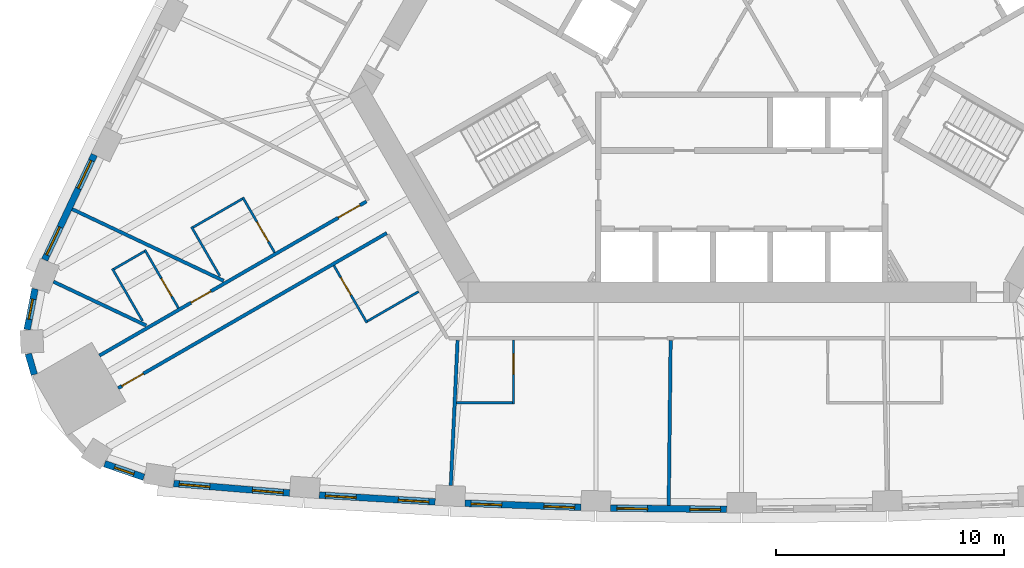
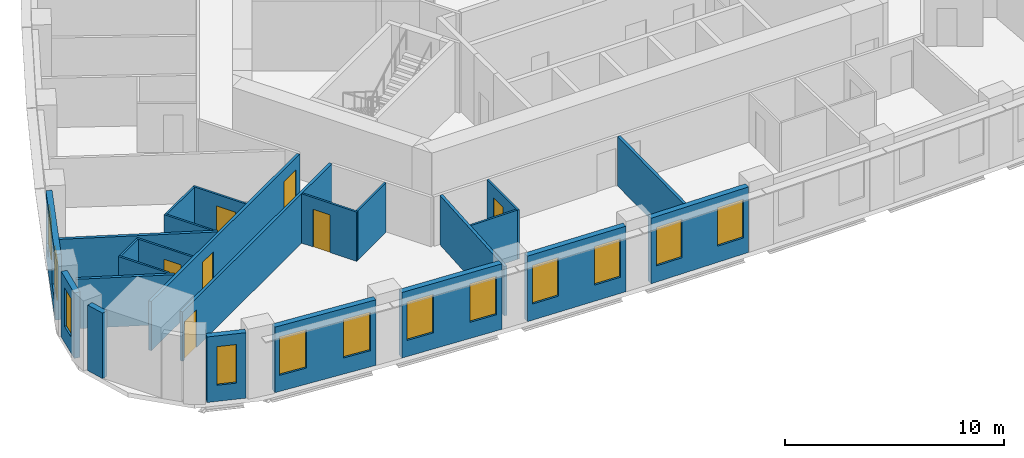
# One storey, part 3 of 12: 24 walls, 12 windows, 7 doors, 19 openings.
"""IFC4 building model written with IfcOpenShell, lengths in metres."""

import ifcopenshell
import ifcopenshell.guid

model = None  # the IFC model being written
_history = None  # IfcOwnerHistory: only IFC2X3 demands one
_inside = {}  # id of a spatial element -> (the spatial element, [elements in it])
_under = {}  # id of a project, library or spatial element -> (it, [spatial elements below it])
_declared = {}  # id of a project -> (the project, [libraries it declares])
_typed = {}  # id of a type object -> (the type object, [elements of that type])
_made_of = {}  # id of a material, layer set ... -> (it, [elements and type objects made of it])


def new_model(schema):
    """Start an empty IFC model of exactly this schema.

    Asked for "IFC4X3", IfcOpenShell would pick the latest addendum, in which some entities
    have other attributes; the version numbers below select the first issue.
    IFC2X3 requires an IfcOwnerHistory on every rooted entity: one is made here for all.
    """
    global model, _history
    if schema == "IFC4X3":
        model = ifcopenshell.file(schema_version=(4, 3, 0, 0))
    else:
        model = ifcopenshell.file(schema=schema)
    _inside.clear()
    _under.clear()
    _declared.clear()
    _typed.clear()
    _made_of.clear()
    _history = None
    if model.schema == "IFC2X3":
        org = make("IfcOrganization", Name="unknown")
        user = make(
            "IfcPersonAndOrganization",
            ThePerson=make("IfcPerson", FamilyName="unknown"),
            TheOrganization=org,
        )
        app = make(
            "IfcApplication",
            ApplicationDeveloper=org,
            Version="unknown",
            ApplicationFullName="unknown",
            ApplicationIdentifier="unknown",
        )
        _history = make(
            "IfcOwnerHistory",
            OwningUser=user,
            OwningApplication=app,
            ChangeAction="ADDED",
            CreationDate=0,
        )
    return model


def make(cls, **values):
    """One entity of the class cls with the attributes given. An attribute that is None is left unset."""
    return model.create_entity(
        cls, **{name: value for name, value in values.items() if value is not None}
    )


def rooted(cls, **values):
    """An entity with a GlobalId (a new one), such as an element, a storey or a relation."""
    return make(cls, GlobalId=ifcopenshell.guid.new(), OwnerHistory=_history, **values)


def si_unit(unit_type, name, prefix=None):
    """IfcSIUnit, for example si_unit("LENGTHUNIT", "METRE", prefix="MILLI")."""
    return make("IfcSIUnit", UnitType=unit_type, Prefix=prefix, Name=name)


def assignment(units):
    """IfcUnitAssignment: the units of a project."""
    return None if units is None else make("IfcUnitAssignment", Units=units)


def point(xyz):
    """IfcCartesianPoint."""
    return None if xyz is None else make("IfcCartesianPoint", Coordinates=xyz)


def direction(xyz):
    """IfcDirection."""
    return None if xyz is None else make("IfcDirection", DirectionRatios=xyz)


def frame(location, z_axis=None, x_axis=None):
    """IfcAxis2Placement3D, a coordinate frame: its origin and axes. An axis left out is left unset."""
    return make(
        "IfcAxis2Placement3D",
        Location=point(location),
        Axis=direction(z_axis),
        RefDirection=direction(x_axis),
    )


def frame_2d(location, x_axis=None):
    """IfcAxis2Placement2D, a coordinate frame in the plane: its origin and x axis."""
    return make(
        "IfcAxis2Placement2D", Location=point(location), RefDirection=direction(x_axis)
    )


def origin():
    """The frame at (0, 0, 0) with its axes left unset."""
    return frame((0.0, 0.0, 0.0))


def place(relative_to, where):
    """IfcLocalPlacement: puts the frame where relative to a parent placement (None: the world)."""
    return make(
        "IfcLocalPlacement", PlacementRelTo=relative_to, RelativePlacement=where
    )


def context(
    kind, dimensions, precision=None, world=None, true_north=None, identifier=None
):
    """IfcGeometricRepresentationContext, for example the 3D "Model" context."""
    return make(
        "IfcGeometricRepresentationContext",
        ContextIdentifier=identifier,
        ContextType=kind,
        CoordinateSpaceDimension=dimensions,
        Precision=precision,
        WorldCoordinateSystem=world,
        TrueNorth=true_north,
    )


def subcontext(parent, identifier, kind, view, scale=None):
    """IfcGeometricRepresentationSubContext, for example "Body" below "Model"."""
    return make(
        "IfcGeometricRepresentationSubContext",
        ContextIdentifier=identifier,
        ContextType=kind,
        ParentContext=parent,
        TargetScale=scale,
        TargetView=view,
    )


def project(units=None, contexts=None):
    """IfcProject with its units and contexts."""
    return rooted(
        "IfcProject",
        Name="project",
        RepresentationContexts=contexts,
        UnitsInContext=assignment(units),
    )


def spatial(cls, under=None, at=None, **own):
    """A site, building, storey or space (cls), placed at a placement, below another one or the project."""
    s = rooted(cls, ObjectPlacement=at, **own)
    if under is not None:
        _under.setdefault(under.id(), (under, []))[1].append(s)
    return s


def profile(cls, at=None, kind="AREA", **sizes):
    """A parametric profile (cls). Its sizes go by their IFC names, for example OverallWidth=200.0."""
    return make(cls, ProfileType=kind, Position=at, **sizes)


def rectangle(**sizes):
    """IfcRectangleProfileDef."""
    return profile("IfcRectangleProfileDef", **sizes)


def extrude(swept, where, along, depth):
    """IfcExtrudedAreaSolid: the profile swept, set in the frame where, extruded along a direction by depth."""
    return make(
        "IfcExtrudedAreaSolid",
        SweptArea=swept,
        Position=where,
        ExtrudedDirection=direction(along),
        Depth=depth,
    )


def shape(context_of_items, identifier, shape_type, items):
    """IfcShapeRepresentation: the items that make up one representation, for example the "Body"."""
    return make(
        "IfcShapeRepresentation",
        ContextOfItems=context_of_items,
        RepresentationIdentifier=identifier,
        RepresentationType=shape_type,
        Items=items,
    )


def material(Name=None, Category=None):
    """IfcMaterial."""
    return make("IfcMaterial", Name=Name, Category=Category)


def layer(
    of_material, thickness, ventilated=None, Name=None, Category=None, Priority=None
):
    """IfcMaterialLayer: one layer of a wall or slab, of a material (None: an air gap)."""
    return make(
        "IfcMaterialLayer",
        Material=of_material,
        LayerThickness=thickness,
        IsVentilated=ventilated,
        Name=Name,
        Category=Category,
        Priority=Priority,
    )


def layer_set(layers, Name=None):
    """IfcMaterialLayerSet."""
    return make("IfcMaterialLayerSet", MaterialLayers=layers, LayerSetName=Name)


def made_of(thing, what):
    """Note that an element or type object is made of a material, layer set ...; save() writes the relation."""
    if what is not None:
        _made_of.setdefault(what.id(), (what, []))[1].append(thing)
    return thing


def type_object(cls, material=None, **own):
    """A type object (cls), such as IfcWallType, which elements share."""
    return made_of(rooted(cls, **own), material)


def element(
    cls,
    number,
    at=None,
    inside=None,
    cuts=None,
    type_object=None,
    material=None,
    context=None,
    identifier="Body",
    shape_type=None,
    held_by="IfcProductDefinitionShape",
    body=None,
    shapes=None,
    **own,
):
    """One element of the class cls, such as IfcWall. Its Tag is "e" and its number.

    at: its placement. inside: the storey or other place that contains it. cuts: it is an
    opening in that element (IfcRelVoidsElement). A single representation is given by context,
    identifier, shape_type and body (its items); several are given by shapes. held_by: the class
    of the entity that holds the representations. save() writes the other relations.
    """
    e = rooted(cls, Tag="e%d" % number, ObjectPlacement=at, **own)
    if body is not None:
        shapes = [shape(context, identifier, shape_type, body)]
    if shapes is not None:
        e.Representation = make(held_by, Representations=shapes)
    if inside is not None:
        _inside.setdefault(inside.id(), (inside, []))[1].append(e)
    if cuts is not None:
        rooted(
            "IfcRelVoidsElement", RelatingBuildingElement=cuts, RelatedOpeningElement=e
        )
    if type_object is not None:
        _typed.setdefault(type_object.id(), (type_object, []))[1].append(e)
    return made_of(e, material)


def fill(opening, filler):
    """IfcRelFillsElement: the door or window that sits in an opening."""
    return rooted(
        "IfcRelFillsElement",
        RelatingOpeningElement=opening,
        RelatedBuildingElement=filler,
    )


def aggregate(whole, parts):
    """IfcRelAggregates: a whole, such as a stair, and the parts it consists of."""
    return rooted("IfcRelAggregates", RelatingObject=whole, RelatedObjects=parts)


def save(model, path):
    """Write the relations noted so far, then the file.

    IfcRelAggregates (storeys below a building ...), IfcRelContainedInSpatialStructure (elements
    in a storey), IfcRelDefinesByType, IfcRelAssociatesMaterial and IfcRelDeclares: one each for
    every whole, place, type object, material and project.
    """
    for whole, parts in _under.values():
        aggregate(whole, parts)
    for where, things in _inside.values():
        rooted(
            "IfcRelContainedInSpatialStructure",
            RelatedElements=things,
            RelatingStructure=where,
        )
    for kind, things in _typed.values():
        rooted("IfcRelDefinesByType", RelatedObjects=things, RelatingType=kind)
    for what, things in _made_of.values():
        rooted("IfcRelAssociatesMaterial", RelatedObjects=things, RelatingMaterial=what)
    for by, libraries in _declared.values():
        rooted("IfcRelDeclares", RelatingContext=by, RelatedDefinitions=libraries)
    model.write(path)


model = new_model("IFC4")

# Units and contexts
model_context = context("Model", 3, precision=1e-05, world=origin(), true_north=direction((0.0, 1.0)))
body_context = subcontext(model_context, "Body", "Model", "MODEL_VIEW")
ifc_project = project(units=[si_unit("LENGTHUNIT", "METRE"), si_unit("AREAUNIT", "SQUARE_METRE"), si_unit("VOLUMEUNIT", "CUBIC_METRE"), si_unit("PLANEANGLEUNIT", "RADIAN"), si_unit("MASSUNIT", "GRAM", prefix="KILO")], contexts=[model_context])

# Site, building, storey
site_placement = place(None, origin())
site = spatial("IfcSite", under=ifc_project, at=site_placement, CompositionType="ELEMENT")
building_placement = place(site_placement, origin())
building = spatial("IfcBuilding", under=site, at=building_placement, Name="Mestral Congress Tower", CompositionType="ELEMENT")
storey_placement = place(building_placement, frame((0.0, 0.0, 122.699951171875)))
storey = spatial("IfcBuildingStorey", under=building, at=storey_placement, Name="L29", CompositionType="ELEMENT", Elevation=122.699951171875)

# Wall, openings, windows
ifc_material_1 = material(Name="Precast concrete C40/50 with limestone facing", Category="masonry")
ifc_layer_1 = layer(ifc_material_1, 0.2900390625)
ifc_layer_set_1 = layer_set([ifc_layer_1], Name="Precast concrete C40/50 with limestone facing")
wall_type_1 = type_object("IfcWallType", Name="Facade stone wall 290", PredefinedType="SOLIDWALL", material=ifc_layer_set_1)
wall_1_placement = place(storey_placement, frame((-24.9462890625, -20.95361328125, 0.0), z_axis=(0.0, 0.0, 1.0), x_axis=(0.99665273362, -0.081751627308, 0.0)))
wall_1 = element("IfcWall", 1, at=wall_1_placement, inside=storey, type_object=wall_type_1, Name="Facade wall F0-00", PredefinedType="SOLIDWALL", context=body_context, shape_type="SweptSolid", body=[
    extrude(rectangle(XDim=5.106689453125, YDim=0.2900390625, at=frame_2d((2.55322265625, 0.0))), origin(), (0.0, 0.0, 1.0), 3.650146484375),
])
opening_1_placement = place(wall_1_placement, frame((0.240478515625, 0.0, 0.89990234375)))
opening_1 = element("IfcOpeningElement", 2, at=opening_1_placement, cuts=wall_1, Name="Opening W2", PredefinedType="OPENING", context=body_context, shape_type="SweptSolid", body=[
    extrude(rectangle(XDim=1.35009765625, YDim=2.14990234375, at=frame_2d((0.675048828125, 1.074951171875))), frame((0.0, 0.155029296875, 0.0), z_axis=(0.0, -1.0, 0.0), x_axis=(1.0, 0.0, 0.0)), (0.0, 0.0, 1.0), 0.31005859375),
])
opening_2_placement = place(wall_1_placement, frame((3.47119140625, 0.0, 0.89990234375)))
opening_2 = element("IfcOpeningElement", 3, at=opening_2_placement, cuts=wall_1, Name="Opening W2", PredefinedType="OPENING", context=body_context, shape_type="SweptSolid", body=[
    extrude(rectangle(XDim=1.35009765625, YDim=2.14990234375, at=frame_2d((0.675048828125, 1.074951171875))), frame((0.0, 0.155029296875, 0.0), z_axis=(0.0, -1.0, 0.0), x_axis=(1.0, 0.0, 0.0)), (0.0, 0.0, 1.0), 0.31005859375),
])
ifc_material_2 = material(Name="Clear low-emissivity double glazing", Category="glass")
window_type_1 = type_object("IfcWindowType", Name="Facade punched window 1350 x 2150 sill 900", PartitioningType="DOUBLE_PANEL_VERTICAL", PredefinedType="WINDOW", material=ifc_material_2)
window_1_placement = place(opening_1_placement, origin())
window_1 = element("IfcWindow", 4, at=window_1_placement, inside=storey, type_object=window_type_1, Name="Window F0-00a", OverallHeight=2.14990234375, OverallWidth=1.35009765625, PartitioningType="DOUBLE_PANEL_VERTICAL", PredefinedType="WINDOW", context=body_context, shape_type="SweptSolid", body=[
    extrude(rectangle(XDim=1.35009765625, YDim=2.14990234375, at=frame_2d((0.675048828125, 1.074951171875))), frame((0.0, 0.01513671875, 0.0), z_axis=(0.0, -1.0, 0.0), x_axis=(1.0, 0.0, 0.0)), (0.0, 0.0, 1.0), 0.06005859375),
])
fill(opening_1, window_1)
window_2_placement = place(opening_2_placement, origin())
window_2 = element("IfcWindow", 5, at=window_2_placement, inside=storey, type_object=window_type_1, Name="Window F0-00b", OverallHeight=2.14990234375, OverallWidth=1.35009765625, PartitioningType="DOUBLE_PANEL_VERTICAL", PredefinedType="WINDOW", context=body_context, shape_type="SweptSolid", body=[
    extrude(rectangle(XDim=1.35009765625, YDim=2.14990234375, at=frame_2d((0.675048828125, 1.074951171875))), frame((0.0, 0.01513671875, 0.0), z_axis=(0.0, -1.0, 0.0), x_axis=(1.0, 0.0, 0.0)), (0.0, 0.0, 1.0), 0.06005859375),
])
fill(opening_2, window_2)

wall_2_placement = place(storey_placement, frame((-18.553466796875, -21.462890625, 0.0), z_axis=(0.0, 0.0, 1.0), x_axis=(0.998290511436, -0.058447025388, 0.0)))
wall_2 = element("IfcWall", 6, at=wall_2_placement, inside=storey, type_object=wall_type_1, Name="Facade wall F0-01", PredefinedType="SOLIDWALL", context=body_context, shape_type="SweptSolid", body=[
    extrude(rectangle(XDim=5.100341796875, YDim=0.2900390625, at=frame_2d((2.55029296875, 0.0))), origin(), (0.0, 0.0, 1.0), 3.650146484375),
])
opening_3_placement = place(wall_2_placement, frame((0.272705078125, 0.0, 0.89990234375)))
opening_3 = element("IfcOpeningElement", 7, at=opening_3_placement, cuts=wall_2, Name="Opening W2", PredefinedType="OPENING", context=body_context, shape_type="SweptSolid", body=[
    extrude(rectangle(XDim=1.35009765625, YDim=2.14990234375, at=frame_2d((0.675048828125, 1.074951171875))), frame((0.0, 0.155029296875, 0.0), z_axis=(0.0, -1.0, 0.0), x_axis=(1.0, 0.0, 0.0)), (0.0, 0.0, 1.0), 0.31005859375),
])
opening_4_placement = place(wall_2_placement, frame((3.477783203125, 0.0, 0.89990234375)))
opening_4 = element("IfcOpeningElement", 8, at=opening_4_placement, cuts=wall_2, Name="Opening W2", PredefinedType="OPENING", context=body_context, shape_type="SweptSolid", body=[
    extrude(rectangle(XDim=1.35009765625, YDim=2.14990234375, at=frame_2d((0.675048828125, 1.074951171875))), frame((0.0, 0.155029296875, 0.0), z_axis=(0.0, -1.0, 0.0), x_axis=(1.0, 0.0, 0.0)), (0.0, 0.0, 1.0), 0.31005859375),
])
window_3_placement = place(opening_3_placement, origin())
window_3 = element("IfcWindow", 9, at=window_3_placement, inside=storey, type_object=window_type_1, Name="Window F0-01a", OverallHeight=2.14990234375, OverallWidth=1.35009765625, PartitioningType="DOUBLE_PANEL_VERTICAL", PredefinedType="WINDOW", context=body_context, shape_type="SweptSolid", body=[
    extrude(rectangle(XDim=1.35009765625, YDim=2.14990234375, at=frame_2d((0.675048828125, 1.074951171875))), frame((0.0, 0.01513671875, 0.0), z_axis=(0.0, -1.0, 0.0), x_axis=(1.0, 0.0, 0.0)), (0.0, 0.0, 1.0), 0.06005859375),
])
fill(opening_3, window_3)
window_4_placement = place(opening_4_placement, origin())
window_4 = element("IfcWindow", 10, at=window_4_placement, inside=storey, type_object=window_type_1, Name="Window F0-01b", OverallHeight=2.14990234375, OverallWidth=1.35009765625, PartitioningType="DOUBLE_PANEL_VERTICAL", PredefinedType="WINDOW", context=body_context, shape_type="SweptSolid", body=[
    extrude(rectangle(XDim=1.35009765625, YDim=2.14990234375, at=frame_2d((0.675048828125, 1.074951171875))), frame((0.0, 0.01513671875, 0.0), z_axis=(0.0, -1.0, 0.0), x_axis=(1.0, 0.0, 0.0)), (0.0, 0.0, 1.0), 0.06005859375),
])
fill(opening_4, window_4)

wall_3_placement = place(storey_placement, frame((-12.15673828125, -21.822021484375, 0.0), z_axis=(0.0, 0.0, 1.0), x_axis=(0.999385993957, -0.035037623812, 0.0)))
wall_3 = element("IfcWall", 11, at=wall_3_placement, inside=storey, type_object=wall_type_1, Name="Facade wall F0-02", PredefinedType="SOLIDWALL", context=body_context, shape_type="SweptSolid", body=[
    extrude(rectangle(XDim=5.1005859375, YDim=0.2900390625, at=frame_2d((2.55029296875, 0.0))), origin(), (0.0, 0.0, 1.0), 3.650146484375),
])
opening_5_placement = place(wall_3_placement, frame((0.272705078125, 0.0, 0.89990234375)))
opening_5 = element("IfcOpeningElement", 12, at=opening_5_placement, cuts=wall_3, Name="Opening W2", PredefinedType="OPENING", context=body_context, shape_type="SweptSolid", body=[
    extrude(rectangle(XDim=1.35009765625, YDim=2.14990234375, at=frame_2d((0.675048828125, 1.074951171875))), frame((0.0, 0.155029296875, 0.0), z_axis=(0.0, -1.0, 0.0), x_axis=(1.0, 0.0, 0.0)), (0.0, 0.0, 1.0), 0.31005859375),
])
opening_6_placement = place(wall_3_placement, frame((3.477783203125, 0.0, 0.89990234375)))
opening_6 = element("IfcOpeningElement", 13, at=opening_6_placement, cuts=wall_3, Name="Opening W2", PredefinedType="OPENING", context=body_context, shape_type="SweptSolid", body=[
    extrude(rectangle(XDim=1.35009765625, YDim=2.14990234375, at=frame_2d((0.675048828125, 1.074951171875))), frame((0.0, 0.155029296875, 0.0), z_axis=(0.0, -1.0, 0.0), x_axis=(1.0, 0.0, 0.0)), (0.0, 0.0, 1.0), 0.31005859375),
])
window_5_placement = place(opening_5_placement, origin())
window_5 = element("IfcWindow", 14, at=window_5_placement, inside=storey, type_object=window_type_1, Name="Window F0-02a", OverallHeight=2.14990234375, OverallWidth=1.35009765625, PartitioningType="DOUBLE_PANEL_VERTICAL", PredefinedType="WINDOW", context=body_context, shape_type="SweptSolid", body=[
    extrude(rectangle(XDim=1.35009765625, YDim=2.14990234375, at=frame_2d((0.675048828125, 1.074951171875))), frame((0.0, 0.01513671875, 0.0), z_axis=(0.0, -1.0, 0.0), x_axis=(1.0, 0.0, 0.0)), (0.0, 0.0, 1.0), 0.06005859375),
])
fill(opening_5, window_5)
window_6_placement = place(opening_6_placement, origin())
window_6 = element("IfcWindow", 15, at=window_6_placement, inside=storey, type_object=window_type_1, Name="Window F0-02b", OverallHeight=2.14990234375, OverallWidth=1.35009765625, PartitioningType="DOUBLE_PANEL_VERTICAL", PredefinedType="WINDOW", context=body_context, shape_type="SweptSolid", body=[
    extrude(rectangle(XDim=1.35009765625, YDim=2.14990234375, at=frame_2d((0.675048828125, 1.074951171875))), frame((0.0, 0.01513671875, 0.0), z_axis=(0.0, -1.0, 0.0), x_axis=(1.0, 0.0, 0.0)), (0.0, 0.0, 1.0), 0.06005859375),
])
fill(opening_6, window_6)

wall_4_placement = place(storey_placement, frame((-5.753173828125, -22.031494140625, 0.0), z_axis=(0.0, 0.0, 1.0), x_axis=(0.999931786565, -0.011679992145, 0.0)))
wall_4 = element("IfcWall", 16, at=wall_4_placement, inside=storey, type_object=wall_type_1, Name="Facade wall F0-03", PredefinedType="SOLIDWALL", context=body_context, shape_type="SweptSolid", body=[
    extrude(rectangle(XDim=5.10009765625, YDim=0.2900390625, at=frame_2d((2.550048828125, 0.0))), origin(), (0.0, 0.0, 1.0), 3.650146484375),
])
opening_7_placement = place(wall_4_placement, frame((0.2724609375, 0.0, 0.89990234375)))
opening_7 = element("IfcOpeningElement", 17, at=opening_7_placement, cuts=wall_4, Name="Opening W2", PredefinedType="OPENING", context=body_context, shape_type="SweptSolid", body=[
    extrude(rectangle(XDim=1.35009765625, YDim=2.14990234375, at=frame_2d((0.675048828125, 1.074951171875))), frame((0.0, 0.155029296875, 0.0), z_axis=(0.0, -1.0, 0.0), x_axis=(1.0, 0.0, 0.0)), (0.0, 0.0, 1.0), 0.31005859375),
])
opening_8_placement = place(wall_4_placement, frame((3.477783203125, 0.0, 0.89990234375)))
opening_8 = element("IfcOpeningElement", 18, at=opening_8_placement, cuts=wall_4, Name="Opening W2", PredefinedType="OPENING", context=body_context, shape_type="SweptSolid", body=[
    extrude(rectangle(XDim=1.35009765625, YDim=2.14990234375, at=frame_2d((0.675048828125, 1.074951171875))), frame((0.0, 0.155029296875, 0.0), z_axis=(0.0, -1.0, 0.0), x_axis=(1.0, 0.0, 0.0)), (0.0, 0.0, 1.0), 0.31005859375),
])
window_7_placement = place(opening_7_placement, origin())
window_7 = element("IfcWindow", 19, at=window_7_placement, inside=storey, type_object=window_type_1, Name="Window F0-03a", OverallHeight=2.14990234375, OverallWidth=1.35009765625, PartitioningType="DOUBLE_PANEL_VERTICAL", PredefinedType="WINDOW", context=body_context, shape_type="SweptSolid", body=[
    extrude(rectangle(XDim=1.35009765625, YDim=2.14990234375, at=frame_2d((0.675048828125, 1.074951171875))), frame((0.0, 0.01513671875, 0.0), z_axis=(0.0, -1.0, 0.0), x_axis=(1.0, 0.0, 0.0)), (0.0, 0.0, 1.0), 0.06005859375),
])
fill(opening_7, window_7)
window_8_placement = place(opening_8_placement, origin())
window_8 = element("IfcWindow", 20, at=window_8_placement, inside=storey, type_object=window_type_1, Name="Window F0-03b", OverallHeight=2.14990234375, OverallWidth=1.35009765625, PartitioningType="DOUBLE_PANEL_VERTICAL", PredefinedType="WINDOW", context=body_context, shape_type="SweptSolid", body=[
    extrude(rectangle(XDim=1.35009765625, YDim=2.14990234375, at=frame_2d((0.675048828125, 1.074951171875))), frame((0.0, 0.01513671875, 0.0), z_axis=(0.0, -1.0, 0.0), x_axis=(1.0, 0.0, 0.0)), (0.0, 0.0, 1.0), 0.06005859375),
])
fill(opening_8, window_8)

wall_5_placement = place(storey_placement, frame((-28.436279296875, -6.5107421875, 0.0), z_axis=(0.0, 0.0, 1.0), x_axis=(-0.427543726596, -0.903994669148, 0.0)))
wall_5 = element("IfcWall", 21, at=wall_5_placement, inside=storey, type_object=wall_type_1, Name="Facade wall F2-07", PredefinedType="SOLIDWALL", context=body_context, shape_type="SweptSolid", body=[
    extrude(rectangle(XDim=5.106689453125, YDim=0.2900390625, at=frame_2d((2.55322265625, 0.0))), origin(), (0.0, 0.0, 1.0), 3.650146484375),
])
opening_9_placement = place(wall_5_placement, frame((0.285400390625, 0.0, 0.89990234375)))
opening_9 = element("IfcOpeningElement", 22, at=opening_9_placement, cuts=wall_5, Name="Opening W2", PredefinedType="OPENING", context=body_context, shape_type="SweptSolid", body=[
    extrude(rectangle(XDim=1.35009765625, YDim=2.14990234375, at=frame_2d((0.675048828125, 1.074951171875))), frame((0.0, 0.155029296875, 0.0), z_axis=(0.0, -1.0, 0.0), x_axis=(1.0, 0.0, 0.0)), (0.0, 0.0, 1.0), 0.31005859375),
])
opening_10_placement = place(wall_5_placement, frame((3.516357421875, 0.0, 0.89990234375)))
opening_10 = element("IfcOpeningElement", 23, at=opening_10_placement, cuts=wall_5, Name="Opening W2", PredefinedType="OPENING", context=body_context, shape_type="SweptSolid", body=[
    extrude(rectangle(XDim=1.35009765625, YDim=2.14990234375, at=frame_2d((0.675048828125, 1.074951171875))), frame((0.0, 0.155029296875, 0.0), z_axis=(0.0, -1.0, 0.0), x_axis=(1.0, 0.0, 0.0)), (0.0, 0.0, 1.0), 0.31005859375),
])
window_9_placement = place(opening_9_placement, origin())
window_9 = element("IfcWindow", 24, at=window_9_placement, inside=storey, type_object=window_type_1, Name="Window F2-07a", OverallHeight=2.14990234375, OverallWidth=1.35009765625, PartitioningType="DOUBLE_PANEL_VERTICAL", PredefinedType="WINDOW", context=body_context, shape_type="SweptSolid", body=[
    extrude(rectangle(XDim=1.35009765625, YDim=2.14990234375, at=frame_2d((0.675048828125, 1.074951171875))), frame((0.0, 0.01513671875, 0.0), z_axis=(0.0, -1.0, 0.0), x_axis=(1.0, 0.0, 0.0)), (0.0, 0.0, 1.0), 0.06005859375),
])
fill(opening_9, window_9)
window_10_placement = place(opening_10_placement, origin())
window_10 = element("IfcWindow", 25, at=window_10_placement, inside=storey, type_object=window_type_1, Name="Window F2-07b", OverallHeight=2.14990234375, OverallWidth=1.35009765625, PartitioningType="DOUBLE_PANEL_VERTICAL", PredefinedType="WINDOW", context=body_context, shape_type="SweptSolid", body=[
    extrude(rectangle(XDim=1.35009765625, YDim=2.14990234375, at=frame_2d((0.675048828125, 1.074951171875))), frame((0.0, 0.01513671875, 0.0), z_axis=(0.0, -1.0, 0.0), x_axis=(1.0, 0.0, 0.0)), (0.0, 0.0, 1.0), 0.06005859375),
])
fill(opening_10, window_10)

# Wall, opening, window
wall_6_placement = place(storey_placement, frame((-31.0390625, -12.403076171875, 0.0), z_axis=(0.0, 0.0, 1.0), x_axis=(-0.190409913989, -0.981704672829, 0.0)))
wall_6 = element("IfcWall", 26, at=wall_6_placement, inside=storey, type_object=wall_type_1, Name="Facade wall K2-0", PredefinedType="SOLIDWALL", context=body_context, shape_type="SweptSolid", body=[
    extrude(rectangle(XDim=1.8193359375, YDim=0.2900390625, at=frame_2d((0.90966796875, 0.0))), origin(), (0.0, 0.0, 1.0), 3.650146484375),
])
opening_11_placement = place(wall_6_placement, frame((0.459716796875, 0.0, 0.89990234375)))
opening_11 = element("IfcOpeningElement", 27, at=opening_11_placement, cuts=wall_6, Name="Opening W3", PredefinedType="OPENING", context=body_context, shape_type="SweptSolid", body=[
    extrude(rectangle(XDim=0.89990234375, YDim=2.14990234375, at=frame_2d((0.449951171875, 1.074951171875))), frame((0.0, 0.155029296875, 0.0), z_axis=(0.0, -1.0, 0.0), x_axis=(1.0, 0.0, 0.0)), (0.0, 0.0, 1.0), 0.31005859375),
])
window_type_2 = type_object("IfcWindowType", Name="Facade punched window 900 x 2150 sill 900", PartitioningType="SINGLE_PANEL", PredefinedType="WINDOW", material=ifc_material_2)
window_11_placement = place(opening_11_placement, origin())
window_11 = element("IfcWindow", 28, at=window_11_placement, inside=storey, type_object=window_type_2, Name="Window K2-0", OverallHeight=2.14990234375, OverallWidth=0.89990234375, PartitioningType="SINGLE_PANEL", PredefinedType="WINDOW", context=body_context, shape_type="SweptSolid", body=[
    extrude(rectangle(XDim=0.89990234375, YDim=2.14990234375, at=frame_2d((0.449951171875, 1.074951171875))), frame((0.0, 0.01513671875, 0.0), z_axis=(0.0, -1.0, 0.0), x_axis=(1.0, 0.0, 0.0)), (0.0, 0.0, 1.0), 0.06005859375),
])
fill(opening_11, window_11)

# Wall
wall_7_placement = place(storey_placement, frame((-31.335693359375, -15.25634765625, 0.0), z_axis=(0.0, 0.0, 1.0), x_axis=(0.281454582132, -0.95957455062, 0.0)))
element("IfcWall", 29, at=wall_7_placement, inside=storey, type_object=wall_type_1, Name="Facade wall K2-1", PredefinedType="SOLIDWALL", context=body_context, shape_type="SweptSolid", body=[
    extrude(rectangle(XDim=0.947265625, YDim=0.2900390625, at=frame_2d((0.4736328125, 0.0))), origin(), (0.0, 0.0, 1.0), 3.650146484375),
])

# Wall, opening, window
wall_8_placement = place(storey_placement, frame((-27.98095703125, -20.086181640625, 0.0), z_axis=(0.0, 0.0, 1.0), x_axis=(0.945385815453, -0.325953462844, 0.0)))
wall_8 = element("IfcWall", 30, at=wall_8_placement, inside=storey, type_object=wall_type_1, Name="Facade wall K2-3", PredefinedType="SOLIDWALL", context=body_context, shape_type="SweptSolid", body=[
    extrude(rectangle(XDim=1.8193359375, YDim=0.2900390625, at=frame_2d((0.90966796875, 0.0))), origin(), (0.0, 0.0, 1.0), 3.650146484375),
])
opening_12_placement = place(wall_8_placement, frame((0.459716796875, 0.0, 0.89990234375)))
opening_12 = element("IfcOpeningElement", 31, at=opening_12_placement, cuts=wall_8, Name="Opening W3", PredefinedType="OPENING", context=body_context, shape_type="SweptSolid", body=[
    extrude(rectangle(XDim=0.89990234375, YDim=2.14990234375, at=frame_2d((0.449951171875, 1.074951171875))), frame((0.0, 0.155029296875, 0.0), z_axis=(0.0, -1.0, 0.0), x_axis=(1.0, 0.0, 0.0)), (0.0, 0.0, 1.0), 0.31005859375),
])
window_12_placement = place(opening_12_placement, origin())
window_12 = element("IfcWindow", 32, at=window_12_placement, inside=storey, type_object=window_type_2, Name="Window K2-3", OverallHeight=2.14990234375, OverallWidth=0.89990234375, PartitioningType="SINGLE_PANEL", PredefinedType="WINDOW", context=body_context, shape_type="SweptSolid", body=[
    extrude(rectangle(XDim=0.89990234375, YDim=2.14990234375, at=frame_2d((0.449951171875, 1.074951171875))), frame((0.0, 0.01513671875, 0.0), z_axis=(0.0, -1.0, 0.0), x_axis=(1.0, 0.0, 0.0)), (0.0, 0.0, 1.0), 0.06005859375),
])
fill(opening_12, window_12)

# Wall, opening, door
ifc_material_3 = material(Name="Gypsum board partition on metal studs with mineral wool", Category="composite")
ifc_layer_2 = layer(ifc_material_3, 0.10009765625)
ifc_layer_set_2 = layer_set([ifc_layer_2], Name="Gypsum board partition on metal studs with mineral wool")
wall_type_2 = type_object("IfcWallType", Name="Hotel partition wall 100", PredefinedType="PARTITIONING", material=ifc_layer_set_2)
wall_9_placement = place(storey_placement, frame((-17.91015625, -11.379638671875, 0.0), z_axis=(0.0, 0.0, 1.0), x_axis=(0.499987231761, -0.866032775405, 0.0)))
wall_9 = element("IfcWall", 33, at=wall_9_placement, inside=storey, type_object=wall_type_2, Name="L29-h-pod01a", PredefinedType="PARTITIONING", context=body_context, shape_type="SweptSolid", body=[
    extrude(rectangle(XDim=2.89990234375, YDim=0.10009765625, at=frame_2d((1.449951171875, 0.0))), origin(), (0.0, 0.0, 1.0), 2.75),
])
opening_13_placement = place(wall_9_placement, frame((0.60009765625, 0.0, 0.0)))
opening_13 = element("IfcOpeningElement", 34, at=opening_13_placement, cuts=wall_9, Name="Opening H09-002", PredefinedType="OPENING", context=body_context, shape_type="SweptSolid", body=[
    extrude(rectangle(XDim=0.89990234375, YDim=2.10009765625, at=frame_2d((0.449951171875, 1.050048828125))), frame((0.0, 0.06005859375, 0.0), z_axis=(0.0, -1.0, 0.0), x_axis=(1.0, 0.0, 0.0)), (0.0, 0.0, 1.0), 0.1201171875),
])
ifc_material_4 = material(Name="Timber veneer door leaf in timber frame", Category="wood")
door_type_1 = type_object("IfcDoorType", Name="Bathroom door 900", OperationType="SINGLE_SWING_LEFT", PredefinedType="DOOR", material=ifc_material_4)
door_1_placement = place(opening_13_placement, origin())
door_1 = element("IfcDoor", 35, at=door_1_placement, inside=storey, type_object=door_type_1, Name="L29-h-d002", OperationType="SINGLE_SWING_LEFT", OverallHeight=2.10009765625, OverallWidth=0.89990234375, PredefinedType="DOOR", context=body_context, shape_type="SweptSolid", body=[
    extrude(rectangle(XDim=0.89990234375, YDim=2.10009765625, at=frame_2d((0.449951171875, 1.050048828125))), frame((0.0, 0.02490234375, 0.0), z_axis=(0.0, -1.0, 0.0), x_axis=(1.0, 0.0, 0.0)), (0.0, 0.0, 1.0), 0.050048828125),
])
fill(opening_13, door_1)

# Wall
wall_10_placement = place(storey_placement, frame((-16.44189453125, -13.82275390625, 0.0), z_axis=(0.0, 0.0, 1.0), x_axis=(0.866021400173, 0.500006934395, 0.0)))
element("IfcWall", 36, at=wall_10_placement, inside=storey, type_object=wall_type_2, Name="L29-h-pod01b", PredefinedType="PARTITIONING", context=body_context, shape_type="SweptSolid", body=[
    extrude(rectangle(XDim=2.60009765625, YDim=0.10009765625, at=frame_2d((1.300048828125, 0.0))), origin(), (0.0, 0.0, 1.0), 2.75),
])

# Wall, opening, door
wall_11_placement = place(storey_placement, frame((-10.022216796875, -17.449951171875, 0.0), z_axis=(0.0, 0.0, 1.0), x_axis=(0.0, 1.0, 0.0)))
wall_11 = element("IfcWall", 37, at=wall_11_placement, inside=storey, type_object=wall_type_2, Name="L29-h-pod02a", PredefinedType="PARTITIONING", context=body_context, shape_type="SweptSolid", body=[
    extrude(rectangle(XDim=2.800048828125, YDim=0.10009765625, at=frame_2d((1.39990234375, 0.0))), origin(), (0.0, 0.0, 1.0), 2.75),
])
opening_14_placement = place(wall_11_placement, frame((1.300048828125, 0.0, 0.0)))
opening_14 = element("IfcOpeningElement", 38, at=opening_14_placement, cuts=wall_11, Name="Opening H09-004", PredefinedType="OPENING", context=body_context, shape_type="SweptSolid", body=[
    extrude(rectangle(XDim=0.89990234375, YDim=2.10009765625, at=frame_2d((0.449951171875, 1.050048828125))), frame((0.0, 0.06005859375, 0.0), z_axis=(0.0, -1.0, 0.0), x_axis=(1.0, 0.0, 0.0)), (0.0, 0.0, 1.0), 0.1201171875),
])
door_2_placement = place(opening_14_placement, origin())
door_2 = element("IfcDoor", 39, at=door_2_placement, inside=storey, type_object=door_type_1, Name="L29-h-d004", OperationType="SINGLE_SWING_LEFT", OverallHeight=2.10009765625, OverallWidth=0.89990234375, PredefinedType="DOOR", context=body_context, shape_type="SweptSolid", body=[
    extrude(rectangle(XDim=0.89990234375, YDim=2.10009765625, at=frame_2d((0.449951171875, 1.050048828125))), frame((0.0, 0.02490234375, 0.0), z_axis=(0.0, -1.0, 0.0), x_axis=(1.0, 0.0, 0.0)), (0.0, 0.0, 1.0), 0.050048828125),
])
fill(opening_14, door_2)

# Wall
wall_12_placement = place(storey_placement, frame((-10.072265625, -17.39990234375, 0.0), z_axis=(0.0, 0.0, 1.0), x_axis=(-1.0, 0.0, 0.0)))
element("IfcWall", 40, at=wall_12_placement, inside=storey, type_object=wall_type_2, Name="L29-h-pod02b", PredefinedType="PARTITIONING", context=body_context, shape_type="SweptSolid", body=[
    extrude(rectangle(XDim=2.449951171875, YDim=0.10009765625, at=frame_2d((1.22509765625, 0.0))), origin(), (0.0, 0.0, 1.0), 2.75),
])

# Wall, opening, door
wall_13_placement = place(storey_placement, frame((-20.5146484375, -10.804931640625, 0.0), z_axis=(0.0, 0.0, 1.0), x_axis=(-0.49994636267, 0.866056369097, 0.0)))
wall_13 = element("IfcWall", 41, at=wall_13_placement, inside=storey, type_object=wall_type_2, Name="L29-h-pod19a", PredefinedType="PARTITIONING", context=body_context, shape_type="SweptSolid", body=[
    extrude(rectangle(XDim=2.800048828125, YDim=0.10009765625, at=frame_2d((1.39990234375, 0.0))), origin(), (0.0, 0.0, 1.0), 2.75),
])
opening_15_placement = place(wall_13_placement, frame((0.550048828125, 0.0, 0.0)))
opening_15 = element("IfcOpeningElement", 42, at=opening_15_placement, cuts=wall_13, Name="Opening H09-036", PredefinedType="OPENING", context=body_context, shape_type="SweptSolid", body=[
    extrude(rectangle(XDim=1.0, YDim=2.10009765625, at=frame_2d((0.5, 1.050048828125))), frame((0.0, 0.06005859375, 0.0), z_axis=(0.0, -1.0, 0.0), x_axis=(1.0, 0.0, 0.0)), (0.0, 0.0, 1.0), 0.1201171875),
])
door_type_2 = type_object("IfcDoorType", Name="Accessible bathroom door 1000", OperationType="SINGLE_SWING_LEFT", PredefinedType="DOOR", material=ifc_material_4)
door_3_placement = place(opening_15_placement, origin())
door_3 = element("IfcDoor", 43, at=door_3_placement, inside=storey, type_object=door_type_2, Name="L29-h-d036", OperationType="SINGLE_SWING_LEFT", OverallHeight=2.10009765625, OverallWidth=1.0, PredefinedType="DOOR", context=body_context, shape_type="SweptSolid", body=[
    extrude(rectangle(XDim=1.0, YDim=2.10009765625, at=frame_2d((0.5, 1.050048828125))), frame((0.0, 0.02490234375, 0.0), z_axis=(0.0, -1.0, 0.0), x_axis=(1.0, 0.0, 0.0)), (0.0, 0.0, 1.0), 0.050048828125),
])
fill(opening_15, door_3)

# Walls
for number, where, z_axis, x_axis, name in (
    (44, (-21.932861328125, -8.4482421875, 0.0), (0.0, 0.0, 1.0), (-0.866022959057, -0.500004234368, 0.0), "L29-h-pod19b"),
    (45, (-22.916259765625, -11.844970703125, 0.0), (0.0, 0.0, 1.0), (-0.500004234368, 0.866022959057, 0.0), "L29-h-pod19c"),
):
    element("IfcWall", number, at=place(storey_placement, frame(where, z_axis=z_axis, x_axis=x_axis)), inside=storey, type_object=wall_type_2, Name=name, PredefinedType="PARTITIONING", context=body_context, shape_type="SweptSolid", body=[
        extrude(rectangle(XDim=2.5, YDim=0.10009765625, at=frame_2d((1.25, 0.0))), origin(), (0.0, 0.0, 1.0), 2.75),
    ])

# Wall, opening, door
wall_14_placement = place(storey_placement, frame((-24.739990234375, -13.244384765625, 0.0), z_axis=(0.0, 0.0, 1.0), x_axis=(-0.500037662692, 0.866003658127, 0.0)))
wall_14 = element("IfcWall", 46, at=wall_14_placement, inside=storey, type_object=wall_type_2, Name="L29-h-pod20a", PredefinedType="PARTITIONING", context=body_context, shape_type="SweptSolid", body=[
    extrude(rectangle(XDim=2.949951171875, YDim=0.10009765625, at=frame_2d((1.47509765625, 0.0))), origin(), (0.0, 0.0, 1.0), 2.75),
])
opening_16_placement = place(wall_14_placement, frame((0.60009765625, 0.0, 0.0)))
opening_16 = element("IfcOpeningElement", 47, at=opening_16_placement, cuts=wall_14, Name="Opening H09-038", PredefinedType="OPENING", context=body_context, shape_type="SweptSolid", body=[
    extrude(rectangle(XDim=0.89990234375, YDim=2.10009765625, at=frame_2d((0.449951171875, 1.050048828125))), frame((0.0, 0.06005859375, 0.0), z_axis=(0.0, -1.0, 0.0), x_axis=(1.0, 0.0, 0.0)), (0.0, 0.0, 1.0), 0.1201171875),
])
door_4_placement = place(opening_16_placement, origin())
door_4 = element("IfcDoor", 48, at=door_4_placement, inside=storey, type_object=door_type_1, Name="L29-h-d038", OperationType="SINGLE_SWING_LEFT", OverallHeight=2.10009765625, OverallWidth=0.89990234375, PredefinedType="DOOR", context=body_context, shape_type="SweptSolid", body=[
    extrude(rectangle(XDim=0.89990234375, YDim=2.10009765625, at=frame_2d((0.449951171875, 1.050048828125))), frame((0.0, 0.02490234375, 0.0), z_axis=(0.0, -1.0, 0.0), x_axis=(1.0, 0.0, 0.0)), (0.0, 0.0, 1.0), 0.050048828125),
])
fill(opening_16, door_4)

# Walls
wall_15_placement = place(storey_placement, frame((-26.2333984375, -10.758056640625, 0.0), z_axis=(0.0, 0.0, 1.0), x_axis=(-0.866043940782, -0.499967891604, 0.0)))
element("IfcWall", 49, at=wall_15_placement, inside=storey, type_object=wall_type_2, Name="L29-h-pod20b", PredefinedType="PARTITIONING", context=body_context, shape_type="SweptSolid", body=[
    extrude(rectangle(XDim=1.5498046875, YDim=0.10009765625, at=frame_2d((0.77490234375, 0.0))), origin(), (0.0, 0.0, 1.0), 2.75),
])
wall_16_placement = place(storey_placement, frame((-26.319091796875, -13.809814453125, 0.0), z_axis=(0.0, 0.0, 1.0), x_axis=(-0.499953715521, 0.866052124492, 0.0)))
element("IfcWall", 50, at=wall_16_placement, inside=storey, type_object=wall_type_2, Name="L29-h-pod20c", PredefinedType="PARTITIONING", context=body_context, shape_type="SweptSolid", body=[
    extrude(rectangle(XDim=2.650146484375, YDim=0.10009765625, at=frame_2d((1.3251953125, 0.0))), origin(), (0.0, 0.0, 1.0), 2.75),
])

# Wall, openings, doors
ifc_layer_3 = layer(ifc_material_3, 0.14990234375)
ifc_layer_set_3 = layer_set([ifc_layer_3], Name="Gypsum board partition on metal studs with mineral wool")
wall_type_3 = type_object("IfcWallType", Name="Hotel partition wall 150", PredefinedType="PARTITIONING", material=ifc_layer_set_3)
wall_17_placement = place(storey_placement, frame((-28.210693359375, -15.334716796875, 0.0), z_axis=(0.0, 0.0, 1.0), x_axis=(0.866025884867, 0.49999916674, 0.0)))
wall_17 = element("IfcWall", 51, at=wall_17_placement, inside=storey, type_object=wall_type_3, Name="L29-h-cw10", PredefinedType="PARTITIONING", context=body_context, shape_type="SweptSolid", body=[
    extrude(rectangle(XDim=13.54345703125, YDim=0.14990234375, at=frame_2d((6.771728515625, 0.0))), origin(), (0.0, 0.0, 1.0), 2.75),
])
opening_17_placement = place(wall_17_placement, frame((12.113525390625, 0.0, 0.0)))
opening_17 = element("IfcOpeningElement", 52, at=opening_17_placement, cuts=wall_17, Name="Opening H09-035", PredefinedType="OPENING", context=body_context, shape_type="SweptSolid", body=[
    extrude(rectangle(XDim=1.10009765625, YDim=2.10009765625, at=frame_2d((0.550048828125, 1.050048828125))), frame((0.0, 0.0849609375, 0.0), z_axis=(0.0, -1.0, 0.0), x_axis=(1.0, 0.0, 0.0)), (0.0, 0.0, 1.0), 0.169921875),
])
opening_18_placement = place(wall_17_placement, frame((4.650146484375, 0.0, 0.0)))
opening_18 = element("IfcOpeningElement", 53, at=opening_18_placement, cuts=wall_17, Name="Opening H09-037", PredefinedType="OPENING", context=body_context, shape_type="SweptSolid", body=[
    extrude(rectangle(XDim=1.0, YDim=2.10009765625, at=frame_2d((0.5, 1.050048828125))), frame((0.0, 0.0849609375, 0.0), z_axis=(0.0, -1.0, 0.0), x_axis=(1.0, 0.0, 0.0)), (0.0, 0.0, 1.0), 0.169921875),
])
ifc_material_5 = material(Name="Timber veneer door leaf in metal frame", Category="wood")
door_type_3 = type_object("IfcDoorType", Name="Accessible room entrance door 1100", OperationType="SINGLE_SWING_LEFT", PredefinedType="DOOR", material=ifc_material_5)
door_5_placement = place(opening_17_placement, origin())
door_5 = element("IfcDoor", 54, at=door_5_placement, inside=storey, type_object=door_type_3, Name="L29-h-d035", OperationType="SINGLE_SWING_RIGHT", OverallHeight=2.10009765625, OverallWidth=1.10009765625, PredefinedType="DOOR", context=body_context, shape_type="SweptSolid", body=[
    extrude(rectangle(XDim=1.10009765625, YDim=2.10009765625, at=frame_2d((0.550048828125, 1.050048828125))), frame((0.0, 0.02490234375, 0.0), z_axis=(0.0, -1.0, 0.0), x_axis=(1.0, 0.0, 0.0)), (0.0, 0.0, 1.0), 0.050048828125),
])
fill(opening_17, door_5)
door_type_4 = type_object("IfcDoorType", Name="Guest room entrance door 1000", OperationType="SINGLE_SWING_LEFT", PredefinedType="DOOR", material=ifc_material_5)
door_6_placement = place(opening_18_placement, origin())
door_6 = element("IfcDoor", 55, at=door_6_placement, inside=storey, type_object=door_type_4, Name="L29-h-d037", OperationType="SINGLE_SWING_RIGHT", OverallHeight=2.10009765625, OverallWidth=1.0, PredefinedType="DOOR", context=body_context, shape_type="SweptSolid", body=[
    extrude(rectangle(XDim=1.0, YDim=2.10009765625, at=frame_2d((0.5, 1.050048828125))), frame((0.0, 0.02490234375, 0.0), z_axis=(0.0, -1.0, 0.0), x_axis=(1.0, 0.0, 0.0)), (0.0, 0.0, 1.0), 0.050048828125),
])
fill(opening_18, door_6)

# Wall, opening, door
wall_18_placement = place(storey_placement, frame((-15.58740234375, -9.951904296875, 0.0), z_axis=(0.0, 0.0, 1.0), x_axis=(-0.866017869832, -0.500013048961, 0.0)))
wall_18 = element("IfcWall", 56, at=wall_18_placement, inside=storey, type_object=wall_type_3, Name="L29-h-cw11", PredefinedType="PARTITIONING", context=body_context, shape_type="SweptSolid", body=[
    extrude(rectangle(XDim=13.623779296875, YDim=0.14990234375, at=frame_2d((6.81201171875, 0.0))), origin(), (0.0, 0.0, 1.0), 2.75),
])
opening_19_placement = place(wall_18_placement, frame((12.343505859375, 0.0, 0.0)))
opening_19 = element("IfcOpeningElement", 57, at=opening_19_placement, cuts=wall_18, Name="Opening H09-001", PredefinedType="OPENING", context=body_context, shape_type="SweptSolid", body=[
    extrude(rectangle(XDim=1.10009765625, YDim=2.10009765625, at=frame_2d((0.550048828125, 1.050048828125))), frame((0.0, 0.0849609375, 0.0), z_axis=(0.0, -1.0, 0.0), x_axis=(1.0, 0.0, 0.0)), (0.0, 0.0, 1.0), 0.169921875),
])
door_7_placement = place(opening_19_placement, origin())
door_7 = element("IfcDoor", 58, at=door_7_placement, inside=storey, type_object=door_type_3, Name="L29-h-d001", OperationType="SINGLE_SWING_RIGHT", OverallHeight=2.10009765625, OverallWidth=1.10009765625, PredefinedType="DOOR", context=body_context, shape_type="SweptSolid", body=[
    extrude(rectangle(XDim=1.10009765625, YDim=2.10009765625, at=frame_2d((0.550048828125, 1.050048828125))), frame((0.0, 0.02490234375, 0.0), z_axis=(0.0, -1.0, 0.0), x_axis=(1.0, 0.0, 0.0)), (0.0, 0.0, 1.0), 0.050048828125),
])
fill(opening_19, door_7)

# Walls
wall_19_placement = place(storey_placement, frame((-30.23095703125, -12.08544921875, 0.0), z_axis=(0.0, 0.0, 1.0), x_axis=(0.904001132572, -0.427530060122, 0.0)))
element("IfcWall", 59, at=wall_19_placement, inside=storey, type_object=wall_type_3, Name="L29-h-pw01", PredefinedType="PARTITIONING", context=body_context, shape_type="SweptSolid", body=[
    extrude(rectangle(XDim=4.509521484375, YDim=0.14990234375, at=frame_2d((2.2548828125, 0.0))), origin(), (0.0, 0.0, 1.0), 2.75),
])
wall_20_placement = place(storey_placement, frame((-29.406494140625, -8.9013671875, 0.0), z_axis=(0.0, 0.0, 1.0), x_axis=(0.904002363742, -0.427527456836, 0.0)))
element("IfcWall", 60, at=wall_20_placement, inside=storey, type_object=wall_type_3, Name="L29-h-pw02", PredefinedType="PARTITIONING", context=body_context, shape_type="SweptSolid", body=[
    extrude(rectangle(XDim=7.362060546875, YDim=0.14990234375, at=frame_2d((3.68115234375, 0.0))), origin(), (0.0, 0.0, 1.0), 2.75),
])
wall_21_placement = place(storey_placement, frame((-12.7744140625, -21.044921875, 0.0), z_axis=(0.0, 0.0, 1.0), x_axis=(0.046750341626, 0.998906605023, 0.0)))
element("IfcWall", 61, at=wall_21_placement, inside=storey, type_object=wall_type_3, Name="L29-h-pw07", PredefinedType="PARTITIONING", context=body_context, shape_type="SweptSolid", body=[
    extrude(rectangle(XDim=6.39208984375, YDim=0.14990234375, at=frame_2d((3.196044921875, 0.0))), origin(), (0.0, 0.0, 1.0), 2.75),
])
wall_22_placement = place(storey_placement, frame((-3.20166015625, -21.916259765625, 0.0), z_axis=(0.0, 0.0, 1.0), x_axis=(0.011707696285, 0.999931462575, 0.0)))
element("IfcWall", 62, at=wall_22_placement, inside=storey, type_object=wall_type_3, Name="L29-h-pw09", PredefinedType="PARTITIONING", context=body_context, shape_type="SweptSolid", body=[
    extrude(rectangle(XDim=7.2568359375, YDim=0.14990234375, at=frame_2d((3.62841796875, 0.0))), origin(), (0.0, 0.0, 1.0), 2.75),
])

save(model, "model.ifc")
